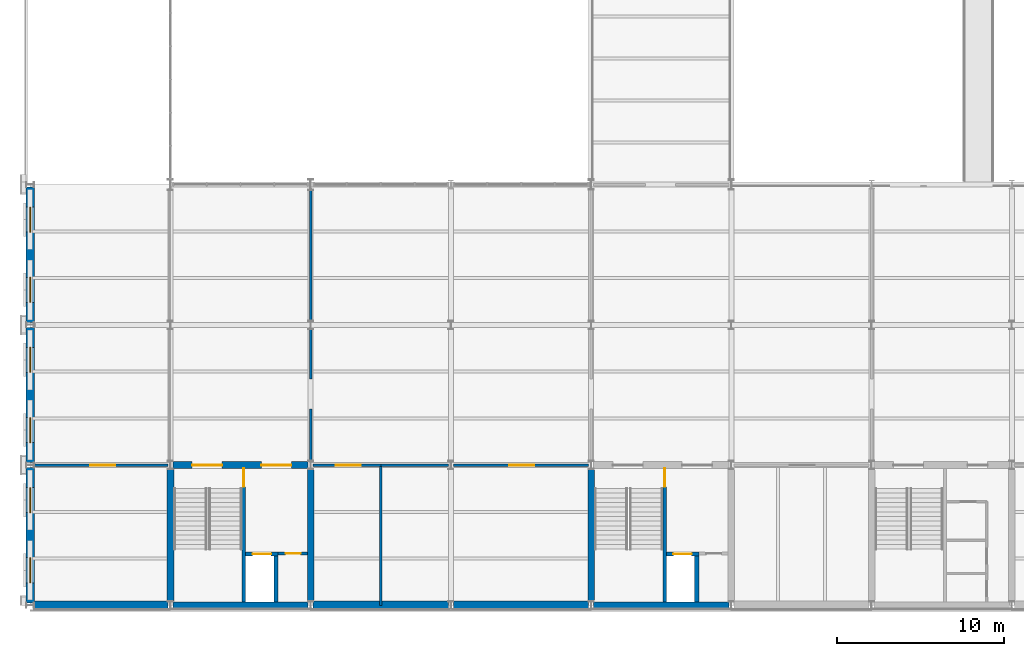
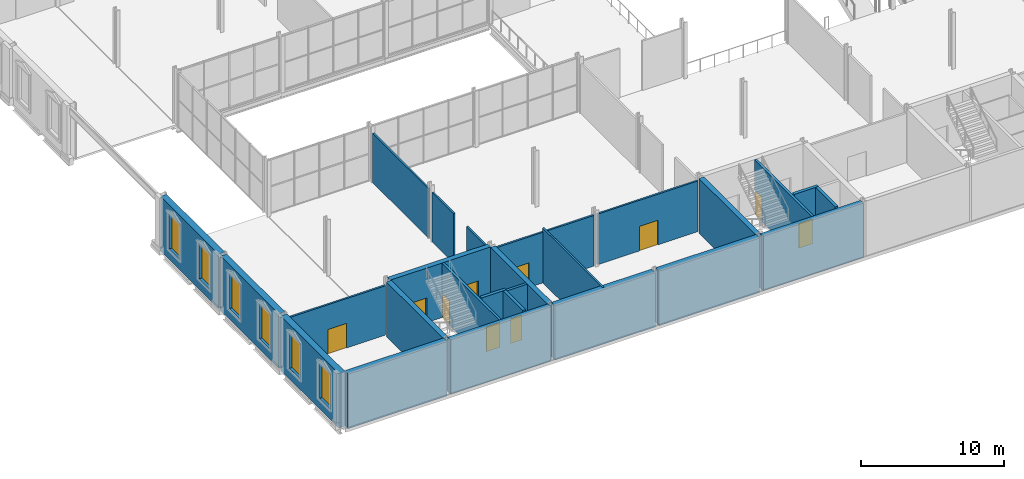
# One storey, part 35 of 61: 27 walls, 10 doors, 6 windows, 16 openings.
"""IFC4 building model written with IfcOpenShell, lengths in metres."""

import ifcopenshell
import ifcopenshell.guid

model = None  # the IFC model being written
_history = None  # IfcOwnerHistory: only IFC2X3 demands one
_inside = {}  # id of a spatial element -> (the spatial element, [elements in it])
_under = {}  # id of a project, library or spatial element -> (it, [spatial elements below it])
_declared = {}  # id of a project -> (the project, [libraries it declares])
_typed = {}  # id of a type object -> (the type object, [elements of that type])
_made_of = {}  # id of a material, layer set ... -> (it, [elements and type objects made of it])


def new_model(schema):
    """Start an empty IFC model of exactly this schema.

    Asked for "IFC4X3", IfcOpenShell would pick the latest addendum, in which some entities
    have other attributes; the version numbers below select the first issue.
    IFC2X3 requires an IfcOwnerHistory on every rooted entity: one is made here for all.
    """
    global model, _history
    if schema == "IFC4X3":
        model = ifcopenshell.file(schema_version=(4, 3, 0, 0))
    else:
        model = ifcopenshell.file(schema=schema)
    _inside.clear()
    _under.clear()
    _declared.clear()
    _typed.clear()
    _made_of.clear()
    _history = None
    if model.schema == "IFC2X3":
        org = make("IfcOrganization", Name="unknown")
        user = make(
            "IfcPersonAndOrganization",
            ThePerson=make("IfcPerson", FamilyName="unknown"),
            TheOrganization=org,
        )
        app = make(
            "IfcApplication",
            ApplicationDeveloper=org,
            Version="unknown",
            ApplicationFullName="unknown",
            ApplicationIdentifier="unknown",
        )
        _history = make(
            "IfcOwnerHistory",
            OwningUser=user,
            OwningApplication=app,
            ChangeAction="ADDED",
            CreationDate=0,
        )
    return model


def make(cls, **values):
    """One entity of the class cls with the attributes given. An attribute that is None is left unset."""
    return model.create_entity(
        cls, **{name: value for name, value in values.items() if value is not None}
    )


def rooted(cls, **values):
    """An entity with a GlobalId (a new one), such as an element, a storey or a relation."""
    return make(cls, GlobalId=ifcopenshell.guid.new(), OwnerHistory=_history, **values)


def si_unit(unit_type, name, prefix=None):
    """IfcSIUnit, for example si_unit("LENGTHUNIT", "METRE", prefix="MILLI")."""
    return make("IfcSIUnit", UnitType=unit_type, Prefix=prefix, Name=name)


def assignment(units):
    """IfcUnitAssignment: the units of a project."""
    return None if units is None else make("IfcUnitAssignment", Units=units)


def point(xyz):
    """IfcCartesianPoint."""
    return None if xyz is None else make("IfcCartesianPoint", Coordinates=xyz)


def direction(xyz):
    """IfcDirection."""
    return None if xyz is None else make("IfcDirection", DirectionRatios=xyz)


def frame(location, z_axis=None, x_axis=None):
    """IfcAxis2Placement3D, a coordinate frame: its origin and axes. An axis left out is left unset."""
    return make(
        "IfcAxis2Placement3D",
        Location=point(location),
        Axis=direction(z_axis),
        RefDirection=direction(x_axis),
    )


def frame_2d(location, x_axis=None):
    """IfcAxis2Placement2D, a coordinate frame in the plane: its origin and x axis."""
    return make(
        "IfcAxis2Placement2D", Location=point(location), RefDirection=direction(x_axis)
    )


def origin():
    """The frame at (0, 0, 0) with its axes left unset."""
    return frame((0.0, 0.0, 0.0))


def place(relative_to, where):
    """IfcLocalPlacement: puts the frame where relative to a parent placement (None: the world)."""
    return make(
        "IfcLocalPlacement", PlacementRelTo=relative_to, RelativePlacement=where
    )


def context(
    kind, dimensions, precision=None, world=None, true_north=None, identifier=None
):
    """IfcGeometricRepresentationContext, for example the 3D "Model" context."""
    return make(
        "IfcGeometricRepresentationContext",
        ContextIdentifier=identifier,
        ContextType=kind,
        CoordinateSpaceDimension=dimensions,
        Precision=precision,
        WorldCoordinateSystem=world,
        TrueNorth=true_north,
    )


def subcontext(parent, identifier, kind, view, scale=None):
    """IfcGeometricRepresentationSubContext, for example "Body" below "Model"."""
    return make(
        "IfcGeometricRepresentationSubContext",
        ContextIdentifier=identifier,
        ContextType=kind,
        ParentContext=parent,
        TargetScale=scale,
        TargetView=view,
    )


def project(units=None, contexts=None):
    """IfcProject with its units and contexts."""
    return rooted(
        "IfcProject",
        Name="project",
        RepresentationContexts=contexts,
        UnitsInContext=assignment(units),
    )


def spatial(cls, under=None, at=None, **own):
    """A site, building, storey or space (cls), placed at a placement, below another one or the project."""
    s = rooted(cls, ObjectPlacement=at, **own)
    if under is not None:
        _under.setdefault(under.id(), (under, []))[1].append(s)
    return s


def profile(cls, at=None, kind="AREA", **sizes):
    """A parametric profile (cls). Its sizes go by their IFC names, for example OverallWidth=200.0."""
    return make(cls, ProfileType=kind, Position=at, **sizes)


def rectangle(**sizes):
    """IfcRectangleProfileDef."""
    return profile("IfcRectangleProfileDef", **sizes)


def extrude(swept, where, along, depth):
    """IfcExtrudedAreaSolid: the profile swept, set in the frame where, extruded along a direction by depth."""
    return make(
        "IfcExtrudedAreaSolid",
        SweptArea=swept,
        Position=where,
        ExtrudedDirection=direction(along),
        Depth=depth,
    )


def shape(context_of_items, identifier, shape_type, items):
    """IfcShapeRepresentation: the items that make up one representation, for example the "Body"."""
    return make(
        "IfcShapeRepresentation",
        ContextOfItems=context_of_items,
        RepresentationIdentifier=identifier,
        RepresentationType=shape_type,
        Items=items,
    )


def material(Name=None, Category=None):
    """IfcMaterial."""
    return make("IfcMaterial", Name=Name, Category=Category)


def layer(
    of_material, thickness, ventilated=None, Name=None, Category=None, Priority=None
):
    """IfcMaterialLayer: one layer of a wall or slab, of a material (None: an air gap)."""
    return make(
        "IfcMaterialLayer",
        Material=of_material,
        LayerThickness=thickness,
        IsVentilated=ventilated,
        Name=Name,
        Category=Category,
        Priority=Priority,
    )


def layer_set(layers, Name=None):
    """IfcMaterialLayerSet."""
    return make("IfcMaterialLayerSet", MaterialLayers=layers, LayerSetName=Name)


def made_of(thing, what):
    """Note that an element or type object is made of a material, layer set ...; save() writes the relation."""
    if what is not None:
        _made_of.setdefault(what.id(), (what, []))[1].append(thing)
    return thing


def type_object(cls, material=None, **own):
    """A type object (cls), such as IfcWallType, which elements share."""
    return made_of(rooted(cls, **own), material)


def element(
    cls,
    number,
    at=None,
    inside=None,
    cuts=None,
    type_object=None,
    material=None,
    context=None,
    identifier="Body",
    shape_type=None,
    held_by="IfcProductDefinitionShape",
    body=None,
    shapes=None,
    **own,
):
    """One element of the class cls, such as IfcWall. Its Tag is "e" and its number.

    at: its placement. inside: the storey or other place that contains it. cuts: it is an
    opening in that element (IfcRelVoidsElement). A single representation is given by context,
    identifier, shape_type and body (its items); several are given by shapes. held_by: the class
    of the entity that holds the representations. save() writes the other relations.
    """
    e = rooted(cls, Tag="e%d" % number, ObjectPlacement=at, **own)
    if body is not None:
        shapes = [shape(context, identifier, shape_type, body)]
    if shapes is not None:
        e.Representation = make(held_by, Representations=shapes)
    if inside is not None:
        _inside.setdefault(inside.id(), (inside, []))[1].append(e)
    if cuts is not None:
        rooted(
            "IfcRelVoidsElement", RelatingBuildingElement=cuts, RelatedOpeningElement=e
        )
    if type_object is not None:
        _typed.setdefault(type_object.id(), (type_object, []))[1].append(e)
    return made_of(e, material)


def fill(opening, filler):
    """IfcRelFillsElement: the door or window that sits in an opening."""
    return rooted(
        "IfcRelFillsElement",
        RelatingOpeningElement=opening,
        RelatedBuildingElement=filler,
    )


def aggregate(whole, parts):
    """IfcRelAggregates: a whole, such as a stair, and the parts it consists of."""
    return rooted("IfcRelAggregates", RelatingObject=whole, RelatedObjects=parts)


def save(model, path):
    """Write the relations noted so far, then the file.

    IfcRelAggregates (storeys below a building ...), IfcRelContainedInSpatialStructure (elements
    in a storey), IfcRelDefinesByType, IfcRelAssociatesMaterial and IfcRelDeclares: one each for
    every whole, place, type object, material and project.
    """
    for whole, parts in _under.values():
        aggregate(whole, parts)
    for where, things in _inside.values():
        rooted(
            "IfcRelContainedInSpatialStructure",
            RelatedElements=things,
            RelatingStructure=where,
        )
    for kind, things in _typed.values():
        rooted("IfcRelDefinesByType", RelatedObjects=things, RelatingType=kind)
    for what, things in _made_of.values():
        rooted("IfcRelAssociatesMaterial", RelatedObjects=things, RelatingMaterial=what)
    for by, libraries in _declared.values():
        rooted("IfcRelDeclares", RelatingContext=by, RelatedDefinitions=libraries)
    model.write(path)


model = new_model("IFC4")

# Units and contexts
model_context = context("Model", 3, precision=1e-05, world=origin(), true_north=direction((0.0, 1.0)))
body_context = subcontext(model_context, "Body", "Model", "MODEL_VIEW")
ifc_project = project(units=[si_unit("LENGTHUNIT", "METRE"), si_unit("AREAUNIT", "SQUARE_METRE"), si_unit("VOLUMEUNIT", "CUBIC_METRE"), si_unit("PLANEANGLEUNIT", "RADIAN"), si_unit("MASSUNIT", "GRAM", prefix="KILO")], contexts=[model_context])

# Site, building, storey
site_placement = place(None, origin())
site = spatial("IfcSite", under=ifc_project, at=site_placement, CompositionType="ELEMENT")
building_placement = place(site_placement, origin())
building = spatial("IfcBuilding", under=site, at=building_placement, Name="Galleria Vessillo Department Store", CompositionType="ELEMENT")
storey_placement = place(building_placement, frame((0.0, 0.0, 11.39990234375)))
storey = spatial("IfcBuildingStorey", under=building, at=storey_placement, Name="L02", CompositionType="ELEMENT", Elevation=11.39990234375)

# Wall, opening, door
ifc_material_1 = material(Name="Solid clay block masonry", Category="masonry")
ifc_layer_1 = layer(ifc_material_1, 0.25)
ifc_layer_set_1 = layer_set([ifc_layer_1], Name="Solid clay block masonry")
wall_type_1 = type_object("IfcWallType", Name="Lift shaft wall 250 mm", PredefinedType="SOLIDWALL", material=ifc_layer_set_1)
wall_1_placement = place(storey_placement, frame((12.89990234375, 3.074951171875, 0.0), z_axis=(0.0, 0.0, 1.0), x_axis=(1.0, 0.0, 0.0)))
wall_1 = element("IfcWall", 1, at=wall_1_placement, inside=storey, type_object=wall_type_1, Name="Lift shaft wall LP1 landing side L02", PredefinedType="SOLIDWALL", context=body_context, shape_type="SweptSolid", body=[
    extrude(rectangle(XDim=1.9501953125, YDim=0.25, at=frame_2d((0.97509765625, 0.0))), origin(), (0.0, 0.0, 1.0), 4.800048828125),
])
opening_1_placement = place(wall_1_placement, frame((0.425048828125, 0.0, 0.0)))
opening_1 = element("IfcOpeningElement", 2, at=opening_1_placement, cuts=wall_1, Name="Opening LD005", PredefinedType="OPENING", context=body_context, shape_type="SweptSolid", body=[
    extrude(rectangle(XDim=1.10009765625, YDim=2.10009765625, at=frame_2d((0.550048828125, 1.050048828125))), frame((0.0, 0.135009765625, 0.0), z_axis=(0.0, -1.0, 0.0), x_axis=(1.0, 0.0, 0.0)), (0.0, 0.0, 1.0), 0.27001953125),
])
ifc_material_2 = material(Name="Stainless steel lift door panel", Category="steel")
door_type_1 = type_object("IfcDoorType", Name="Lift landing door LD110 sliding 1100 x 2100", OperationType="SLIDING_TO_LEFT", PredefinedType="DOOR", material=ifc_material_2)
door_1_placement = place(opening_1_placement, origin())
door_1 = element("IfcDoor", 3, at=door_1_placement, inside=storey, type_object=door_type_1, Name="Lift landing door LP1 L02", OperationType="SLIDING_TO_LEFT", OverallHeight=2.10009765625, OverallWidth=1.10009765625, PredefinedType="DOOR", context=body_context, shape_type="SweptSolid", body=[
    extrude(rectangle(XDim=1.10009765625, YDim=2.10009765625, at=frame_2d((0.550048828125, 1.050048828125))), frame((0.0, 0.02490234375, 0.0), z_axis=(0.0, -1.0, 0.0), x_axis=(1.0, 0.0, 0.0)), (0.0, 0.0, 1.0), 0.050048828125),
])
fill(opening_1, door_1)

# Wall
wall_2_placement = place(storey_placement, frame((14.72509765625, 0.199951171875, 0.0), z_axis=(0.0, 0.0, 1.0), x_axis=(0.0, 1.0, 0.0)))
element("IfcWall", 4, at=wall_2_placement, inside=storey, type_object=wall_type_1, Name="Lift shaft wall LP1 L02", PredefinedType="SOLIDWALL", context=body_context, shape_type="SweptSolid", body=[
    extrude(rectangle(XDim=2.75, YDim=0.25, at=frame_2d((1.375, 0.0))), origin(), (0.0, 0.0, 1.0), 4.800048828125),
])

# Wall, opening, door
wall_3_placement = place(storey_placement, frame((38.10009765625, 3.074951171875, 0.0), z_axis=(0.0, 0.0, 1.0), x_axis=(1.0, 0.0, 0.0)))
wall_3 = element("IfcWall", 5, at=wall_3_placement, inside=storey, type_object=wall_type_1, Name="Lift shaft wall LP3 landing side L02", PredefinedType="SOLIDWALL", context=body_context, shape_type="SweptSolid", body=[
    extrude(rectangle(XDim=1.949951171875, YDim=0.25, at=frame_2d((0.97509765625, 0.0))), origin(), (0.0, 0.0, 1.0), 4.800048828125),
])
opening_2_placement = place(wall_3_placement, frame((0.4248046875, 0.0, 0.0)))
opening_2 = element("IfcOpeningElement", 6, at=opening_2_placement, cuts=wall_3, Name="Opening LD021", PredefinedType="OPENING", context=body_context, shape_type="SweptSolid", body=[
    extrude(rectangle(XDim=1.10009765625, YDim=2.10009765625, at=frame_2d((0.550048828125, 1.050048828125))), frame((0.0, 0.135009765625, 0.0), z_axis=(0.0, -1.0, 0.0), x_axis=(1.0, 0.0, 0.0)), (0.0, 0.0, 1.0), 0.27001953125),
])
door_2_placement = place(opening_2_placement, origin())
door_2 = element("IfcDoor", 7, at=door_2_placement, inside=storey, type_object=door_type_1, Name="Lift landing door LP3 L02", OperationType="SLIDING_TO_LEFT", OverallHeight=2.10009765625, OverallWidth=1.10009765625, PredefinedType="DOOR", context=body_context, shape_type="SweptSolid", body=[
    extrude(rectangle(XDim=1.10009765625, YDim=2.10009765625, at=frame_2d((0.550048828125, 1.050048828125))), frame((0.0, 0.02490234375, 0.0), z_axis=(0.0, -1.0, 0.0), x_axis=(1.0, 0.0, 0.0)), (0.0, 0.0, 1.0), 0.050048828125),
])
fill(opening_2, door_2)

# Wall
wall_4_placement = place(storey_placement, frame((39.925048828125, 0.199951171875, 0.0), z_axis=(0.0, 0.0, 1.0), x_axis=(0.0, 1.0, 0.0)))
element("IfcWall", 8, at=wall_4_placement, inside=storey, type_object=wall_type_1, Name="Lift shaft wall LP3 L02", PredefinedType="SOLIDWALL", context=body_context, shape_type="SweptSolid", body=[
    extrude(rectangle(XDim=2.75, YDim=0.25, at=frame_2d((1.375, 0.0))), origin(), (0.0, 0.0, 1.0), 4.800048828125),
])

# Wall, openings, windows
ifc_material_3 = material(Name="Reinforced masonry, limestone units 80 MPa", Category="masonry")
ifc_layer_2 = layer(ifc_material_3, 0.5)
ifc_layer_set_2 = layer_set([ifc_layer_2], Name="Reinforced masonry, limestone units 80 MPa")
wall_type_2 = type_object("IfcWallType", Name="Load-bearing limestone-faced wall 500 mm", PredefinedType="STANDARD", material=ifc_layer_set_2)
wall_5_placement = place(storey_placement, frame((0.0, 0.14990234375, 0.0), z_axis=(0.0, 0.0, 1.0), x_axis=(0.0, 1.0, 0.0)))
wall_5 = element("IfcWall", 9, at=wall_5_placement, inside=storey, type_object=wall_type_2, Name="Load-bearing limestone-faced wall 500 mm SW-L02-01", PredefinedType="STANDARD", context=body_context, shape_type="SweptSolid", body=[
    extrude(rectangle(XDim=8.10009765625, YDim=0.5, at=frame_2d((4.050048828125, 0.0))), origin(), (0.0, 0.0, 1.0), 4.650146484375),
])
opening_3_placement = place(wall_5_placement, frame((1.2001953125, 0.0, 0.89990234375)))
opening_3 = element("IfcOpeningElement", 10, at=opening_3_placement, cuts=wall_5, Name="Opening W001", PredefinedType="OPENING", context=body_context, shape_type="SweptSolid", body=[
    extrude(rectangle(XDim=1.5, YDim=3.0, at=frame_2d((0.75, 1.5))), frame((0.0, 0.260009765625, 0.0), z_axis=(0.0, -1.0, 0.0), x_axis=(1.0, 0.0, 0.0)), (0.0, 0.0, 1.0), 0.52001953125),
])
opening_4_placement = place(wall_5_placement, frame((5.400146484375, 0.0, 0.89990234375)))
opening_4 = element("IfcOpeningElement", 11, at=opening_4_placement, cuts=wall_5, Name="Opening W002", PredefinedType="OPENING", context=body_context, shape_type="SweptSolid", body=[
    extrude(rectangle(XDim=1.5, YDim=3.0, at=frame_2d((0.75, 1.5))), frame((0.0, 0.260009765625, 0.0), z_axis=(0.0, -1.0, 0.0), x_axis=(1.0, 0.0, 0.0)), (0.0, 0.0, 1.0), 0.52001953125),
])
ifc_material_4 = material(Name="Aluminium frame with laminated glass 44.2", Category="aluminium")
window_type = type_object("IfcWindowType", Name="Piano nobile window 1500 x 3000", PartitioningType="SINGLE_PANEL", PredefinedType="WINDOW", material=ifc_material_4)
window_1_placement = place(opening_3_placement, origin())
window_1 = element("IfcWindow", 12, at=window_1_placement, inside=storey, type_object=window_type, Name="E-WIN-SW-L02-01-001", OverallHeight=3.0, OverallWidth=1.5, PartitioningType="SINGLE_PANEL", PredefinedType="WINDOW", context=body_context, shape_type="SweptSolid", body=[
    extrude(rectangle(XDim=1.5, YDim=3.0, at=frame_2d((0.75, 1.5))), frame((0.0, 0.030029296875, 0.0), z_axis=(0.0, -1.0, 0.0), x_axis=(1.0, 0.0, 0.0)), (0.0, 0.0, 1.0), 0.06005859375),
])
fill(opening_3, window_1)
window_2_placement = place(opening_4_placement, origin())
window_2 = element("IfcWindow", 13, at=window_2_placement, inside=storey, type_object=window_type, Name="E-WIN-SW-L02-01-002", OverallHeight=3.0, OverallWidth=1.5, PartitioningType="SINGLE_PANEL", PredefinedType="WINDOW", context=body_context, shape_type="SweptSolid", body=[
    extrude(rectangle(XDim=1.5, YDim=3.0, at=frame_2d((0.75, 1.5))), frame((0.0, 0.030029296875, 0.0), z_axis=(0.0, -1.0, 0.0), x_axis=(1.0, 0.0, 0.0)), (0.0, 0.0, 1.0), 0.06005859375),
])
fill(opening_4, window_2)

wall_6_placement = place(storey_placement, frame((0.0, 8.5498046875, 0.0), z_axis=(0.0, 0.0, 1.0), x_axis=(0.0, 1.0, 0.0)))
wall_6 = element("IfcWall", 14, at=wall_6_placement, inside=storey, type_object=wall_type_2, Name="Load-bearing limestone-faced wall 500 mm SW-L02-02", PredefinedType="STANDARD", context=body_context, shape_type="SweptSolid", body=[
    extrude(rectangle(XDim=8.100341796875, YDim=0.5, at=frame_2d((4.05029296875, 0.0))), origin(), (0.0, 0.0, 1.0), 4.650146484375),
])
opening_5_placement = place(wall_6_placement, frame((1.2001953125, 0.0, 0.89990234375)))
opening_5 = element("IfcOpeningElement", 15, at=opening_5_placement, cuts=wall_6, Name="Opening W003", PredefinedType="OPENING", context=body_context, shape_type="SweptSolid", body=[
    extrude(rectangle(XDim=1.5, YDim=3.0, at=frame_2d((0.75, 1.5))), frame((0.0, 0.260009765625, 0.0), z_axis=(0.0, -1.0, 0.0), x_axis=(1.0, 0.0, 0.0)), (0.0, 0.0, 1.0), 0.52001953125),
])
opening_6_placement = place(wall_6_placement, frame((5.400146484375, 0.0, 0.89990234375)))
opening_6 = element("IfcOpeningElement", 16, at=opening_6_placement, cuts=wall_6, Name="Opening W004", PredefinedType="OPENING", context=body_context, shape_type="SweptSolid", body=[
    extrude(rectangle(XDim=1.5, YDim=3.0, at=frame_2d((0.75, 1.5))), frame((0.0, 0.260009765625, 0.0), z_axis=(0.0, -1.0, 0.0), x_axis=(1.0, 0.0, 0.0)), (0.0, 0.0, 1.0), 0.52001953125),
])
window_3_placement = place(opening_5_placement, origin())
window_3 = element("IfcWindow", 17, at=window_3_placement, inside=storey, type_object=window_type, Name="E-WIN-SW-L02-02-003", OverallHeight=3.0, OverallWidth=1.5, PartitioningType="SINGLE_PANEL", PredefinedType="WINDOW", context=body_context, shape_type="SweptSolid", body=[
    extrude(rectangle(XDim=1.5, YDim=3.0, at=frame_2d((0.75, 1.5))), frame((0.0, 0.030029296875, 0.0), z_axis=(0.0, -1.0, 0.0), x_axis=(1.0, 0.0, 0.0)), (0.0, 0.0, 1.0), 0.06005859375),
])
fill(opening_5, window_3)
window_4_placement = place(opening_6_placement, origin())
window_4 = element("IfcWindow", 18, at=window_4_placement, inside=storey, type_object=window_type, Name="E-WIN-SW-L02-02-004", OverallHeight=3.0, OverallWidth=1.5, PartitioningType="SINGLE_PANEL", PredefinedType="WINDOW", context=body_context, shape_type="SweptSolid", body=[
    extrude(rectangle(XDim=1.5, YDim=3.0, at=frame_2d((0.75, 1.5))), frame((0.0, 0.030029296875, 0.0), z_axis=(0.0, -1.0, 0.0), x_axis=(1.0, 0.0, 0.0)), (0.0, 0.0, 1.0), 0.06005859375),
])
fill(opening_6, window_4)

wall_7_placement = place(storey_placement, frame((0.0, 16.949951171875, 0.0), z_axis=(0.0, 0.0, 1.0), x_axis=(0.0, 1.0, 0.0)))
wall_7 = element("IfcWall", 19, at=wall_7_placement, inside=storey, type_object=wall_type_2, Name="Load-bearing limestone-faced wall 500 mm SW-L02-03", PredefinedType="STANDARD", context=body_context, shape_type="SweptSolid", body=[
    extrude(rectangle(XDim=8.10009765625, YDim=0.5, at=frame_2d((4.050048828125, 0.0))), origin(), (0.0, 0.0, 1.0), 4.650146484375),
])
opening_7_placement = place(wall_7_placement, frame((1.199951171875, 0.0, 0.89990234375)))
opening_7 = element("IfcOpeningElement", 20, at=opening_7_placement, cuts=wall_7, Name="Opening W005", PredefinedType="OPENING", context=body_context, shape_type="SweptSolid", body=[
    extrude(rectangle(XDim=1.5, YDim=3.0, at=frame_2d((0.75, 1.5))), frame((0.0, 0.260009765625, 0.0), z_axis=(0.0, -1.0, 0.0), x_axis=(1.0, 0.0, 0.0)), (0.0, 0.0, 1.0), 0.52001953125),
])
opening_8_placement = place(wall_7_placement, frame((5.400146484375, 0.0, 0.89990234375)))
opening_8 = element("IfcOpeningElement", 21, at=opening_8_placement, cuts=wall_7, Name="Opening W006", PredefinedType="OPENING", context=body_context, shape_type="SweptSolid", body=[
    extrude(rectangle(XDim=1.5, YDim=3.0, at=frame_2d((0.75, 1.5))), frame((0.0, 0.260009765625, 0.0), z_axis=(0.0, -1.0, 0.0), x_axis=(1.0, 0.0, 0.0)), (0.0, 0.0, 1.0), 0.52001953125),
])
window_5_placement = place(opening_7_placement, origin())
window_5 = element("IfcWindow", 22, at=window_5_placement, inside=storey, type_object=window_type, Name="E-WIN-SW-L02-03-005", OverallHeight=3.0, OverallWidth=1.5, PartitioningType="SINGLE_PANEL", PredefinedType="WINDOW", context=body_context, shape_type="SweptSolid", body=[
    extrude(rectangle(XDim=1.5, YDim=3.0, at=frame_2d((0.75, 1.5))), frame((0.0, 0.030029296875, 0.0), z_axis=(0.0, -1.0, 0.0), x_axis=(1.0, 0.0, 0.0)), (0.0, 0.0, 1.0), 0.06005859375),
])
fill(opening_7, window_5)
window_6_placement = place(opening_8_placement, origin())
window_6 = element("IfcWindow", 23, at=window_6_placement, inside=storey, type_object=window_type, Name="E-WIN-SW-L02-03-006", OverallHeight=3.0, OverallWidth=1.5, PartitioningType="SINGLE_PANEL", PredefinedType="WINDOW", context=body_context, shape_type="SweptSolid", body=[
    extrude(rectangle(XDim=1.5, YDim=3.0, at=frame_2d((0.75, 1.5))), frame((0.0, 0.030029296875, 0.0), z_axis=(0.0, -1.0, 0.0), x_axis=(1.0, 0.0, 0.0)), (0.0, 0.0, 1.0), 0.06005859375),
])
fill(opening_8, window_6)

# Wall, openings, doors
ifc_material_5 = material(Name="Concrete C32/40 reinforced", Category="concrete")
ifc_layer_3 = layer(ifc_material_5, 0.39990234375)
ifc_layer_set_3 = layer_set([ifc_layer_3], Name="Concrete C32/40 reinforced")
wall_type_3 = type_object("IfcWallType", Name="Reinforced concrete core wall 400 mm", PredefinedType="SHEAR", material=ifc_layer_set_3)
wall_8_placement = place(storey_placement, frame((8.5498046875, 8.39990234375, 0.0), z_axis=(0.0, 0.0, 1.0), x_axis=(1.0, 0.0, 0.0)))
wall_8 = element("IfcWall", 24, at=wall_8_placement, inside=storey, type_object=wall_type_3, Name="S-CW-PC-SW-INTERIOR-L02", PredefinedType="SHEAR", context=body_context, shape_type="SweptSolid", body=[
    extrude(rectangle(XDim=8.100341796875, YDim=0.39990234375, at=frame_2d((4.05029296875, 0.0))), origin(), (0.0, 0.0, 1.0), 4.650146484375),
])
opening_9_placement = place(wall_8_placement, frame((1.150146484375, 0.0, 0.0)))
opening_9 = element("IfcOpeningElement", 25, at=opening_9_placement, cuts=wall_8, Name="Opening D5019", PredefinedType="OPENING", context=body_context, shape_type="SweptSolid", body=[
    extrude(rectangle(XDim=1.800048828125, YDim=2.10009765625, at=frame_2d((0.89990234375, 1.050048828125))), frame((0.0, 0.2099609375, 0.0), z_axis=(0.0, -1.0, 0.0), x_axis=(1.0, 0.0, 0.0)), (0.0, 0.0, 1.0), 0.419921875),
])
opening_10_placement = place(wall_8_placement, frame((5.300048828125, 0.0, 0.0)))
opening_10 = element("IfcOpeningElement", 26, at=opening_10_placement, cuts=wall_8, Name="Opening D5020", PredefinedType="OPENING", context=body_context, shape_type="SweptSolid", body=[
    extrude(rectangle(XDim=1.800048828125, YDim=2.10009765625, at=frame_2d((0.89990234375, 1.050048828125))), frame((0.0, 0.2099609375, 0.0), z_axis=(0.0, -1.0, 0.0), x_axis=(1.0, 0.0, 0.0)), (0.0, 0.0, 1.0), 0.419921875),
])
ifc_material_6 = material(Name="Fire-rated steel door leaf", Category="steel")
door_type_2 = type_object("IfcDoorType", Name="Door D180F double leaf 1800 x 2100", OperationType="DOUBLE_DOOR_SINGLE_SWING", PredefinedType="DOOR", material=ifc_material_6)
door_3_placement = place(opening_9_placement, frame((1.800048828125, 0.0, 0.0), z_axis=(0.0, 0.0, 1.0), x_axis=(-1.0, 0.0, 0.0)))
door_3 = element("IfcDoor", 27, at=door_3_placement, inside=storey, type_object=door_type_2, Name="Lobby door PC-SW-ST-FLOOR L02", OperationType="DOUBLE_DOOR_SINGLE_SWING", OverallHeight=2.10009765625, OverallWidth=1.800048828125, PredefinedType="DOOR", context=body_context, shape_type="SweptSolid", body=[
    extrude(rectangle(XDim=1.800048828125, YDim=2.10009765625, at=frame_2d((0.89990234375, 1.050048828125))), frame((0.0, 0.02490234375, 0.0), z_axis=(0.0, -1.0, 0.0), x_axis=(1.0, 0.0, 0.0)), (0.0, 0.0, 1.0), 0.050048828125),
])
fill(opening_9, door_3)
door_4_placement = place(opening_10_placement, frame((1.800048828125, 0.0, 0.0), z_axis=(0.0, 0.0, 1.0), x_axis=(-1.0, 0.0, 0.0)))
door_4 = element("IfcDoor", 28, at=door_4_placement, inside=storey, type_object=door_type_2, Name="Lobby door PC-SW-LOBBY-FLOOR L02", OperationType="DOUBLE_DOOR_SINGLE_SWING", OverallHeight=2.10009765625, OverallWidth=1.800048828125, PredefinedType="DOOR", context=body_context, shape_type="SweptSolid", body=[
    extrude(rectangle(XDim=1.800048828125, YDim=2.10009765625, at=frame_2d((0.89990234375, 1.050048828125))), frame((0.0, 0.02490234375, 0.0), z_axis=(0.0, -1.0, 0.0), x_axis=(1.0, 0.0, 0.0)), (0.0, 0.0, 1.0), 0.050048828125),
])
fill(opening_10, door_4)

# Walls
for number, where, z_axis, x_axis, name in (
    (29, (16.800048828125, 0.25, 0.0), (0.0, 0.0, 1.0), (0.0, 1.0, 0.0), "S-CW-PC-SW-EAST-L02"),
    (30, (33.60009765625, 0.25, 0.0), (0.0, 0.0, 1.0), (0.0, 1.0, 0.0), "S-CW-PC-SM-WEST-L02"),
):
    element("IfcWall", number, at=place(storey_placement, frame(where, z_axis=z_axis, x_axis=x_axis)), inside=storey, type_object=wall_type_3, Name=name, PredefinedType="SHEAR", context=body_context, shape_type="SweptSolid", body=[
        extrude(rectangle(XDim=7.89990234375, YDim=0.39990234375, at=frame_2d((3.949951171875, 0.0))), origin(), (0.0, 0.0, 1.0), 4.650146484375),
    ])
ifc_material_7 = material(Name="Concrete C32/40 reinforced", Category="concrete")
ifc_layer_4 = layer(ifc_material_7, 0.39990234375)
ifc_layer_set_4 = layer_set([ifc_layer_4], Name="Concrete C32/40 reinforced")
wall_type_4 = type_object("IfcWallType", Name="Reinforced concrete core wall 400 mm, external", PredefinedType="SHEAR", material=ifc_layer_set_4)
wall_9_placement = place(storey_placement, frame((8.5498046875, 0.0, 0.0), z_axis=(0.0, 0.0, 1.0), x_axis=(1.0, 0.0, 0.0)))
element("IfcWall", 31, at=wall_9_placement, inside=storey, type_object=wall_type_4, Name="S-CW-PC-SW-PARTY-L02", PredefinedType="SHEAR", context=body_context, shape_type="SweptSolid", body=[
    extrude(rectangle(XDim=8.100341796875, YDim=0.39990234375, at=frame_2d((4.05029296875, 0.0))), origin(), (0.0, 0.0, 1.0), 4.650146484375),
])
wall_10_placement = place(storey_placement, frame((8.39990234375, 0.25, 0.0), z_axis=(0.0, 0.0, 1.0), x_axis=(0.0, 1.0, 0.0)))
element("IfcWall", 32, at=wall_10_placement, inside=storey, type_object=wall_type_4, Name="S-CW-PC-SW-WEST-L02", PredefinedType="SHEAR", context=body_context, shape_type="SweptSolid", body=[
    extrude(rectangle(XDim=7.89990234375, YDim=0.39990234375, at=frame_2d((3.949951171875, 0.0))), origin(), (0.0, 0.0, 1.0), 4.650146484375),
])
wall_11_placement = place(storey_placement, frame((33.75, 0.0, 0.0), z_axis=(0.0, 0.0, 1.0), x_axis=(1.0, 0.0, 0.0)))
element("IfcWall", 33, at=wall_11_placement, inside=storey, type_object=wall_type_4, Name="S-CW-PC-SM-PARTY-L02", PredefinedType="SHEAR", context=body_context, shape_type="SweptSolid", body=[
    extrude(rectangle(XDim=8.10009765625, YDim=0.39990234375, at=frame_2d((4.050048828125, 0.0))), origin(), (0.0, 0.0, 1.0), 4.650146484375),
])
ifc_material_8 = material(Name="Concrete C32/40 reinforced", Category="concrete")
ifc_layer_5 = layer(ifc_material_8, 0.5)
ifc_layer_set_5 = layer_set([ifc_layer_5], Name="Concrete C32/40 reinforced")
wall_type_5 = type_object("IfcWallType", Name="Reinforced concrete party wall 500 mm", PredefinedType="SHEAR", material=ifc_layer_set_5)
wall_12_placement = place(storey_placement, frame((0.25, 0.0, 0.0), z_axis=(0.0, 0.0, 1.0), x_axis=(1.0, 0.0, 0.0)))
element("IfcWall", 34, at=wall_12_placement, inside=storey, type_object=wall_type_5, Name="S-PS-L02-01", PredefinedType="SHEAR", context=body_context, shape_type="SweptSolid", body=[
    extrude(rectangle(XDim=8.0, YDim=0.5, at=frame_2d((4.0, 0.0))), origin(), (0.0, 0.0, 1.0), 4.650146484375),
])
wall_13_placement = place(storey_placement, frame((16.949951171875, 0.0, 0.0), z_axis=(0.0, 0.0, 1.0), x_axis=(1.0, 0.0, 0.0)))
element("IfcWall", 35, at=wall_13_placement, inside=storey, type_object=wall_type_5, Name="S-PS-L02-02", PredefinedType="SHEAR", context=body_context, shape_type="SweptSolid", body=[
    extrude(rectangle(XDim=8.10009765625, YDim=0.5, at=frame_2d((4.050048828125, 0.0))), origin(), (0.0, 0.0, 1.0), 4.650146484375),
])
wall_14_placement = place(storey_placement, frame((25.349853515625, 0.0, 0.0), z_axis=(0.0, 0.0, 1.0), x_axis=(1.0, 0.0, 0.0)))
element("IfcWall", 36, at=wall_14_placement, inside=storey, type_object=wall_type_5, Name="S-PS-L02-03", PredefinedType="SHEAR", context=body_context, shape_type="SweptSolid", body=[
    extrude(rectangle(XDim=8.100341796875, YDim=0.5, at=frame_2d((4.05029296875, 0.0))), origin(), (0.0, 0.0, 1.0), 4.650146484375),
])

# Wall, opening, door
ifc_material_9 = material(Name="Concrete C32/40 reinforced", Category="concrete")
ifc_layer_6 = layer(ifc_material_9, 0.199951171875)
ifc_layer_set_6 = layer_set([ifc_layer_6], Name="Concrete C32/40 reinforced")
wall_type_6 = type_object("IfcWallType", Name="Reinforced concrete stair enclosure wall 200 mm", PredefinedType="SHEAR", material=ifc_layer_set_6)
wall_15_placement = place(storey_placement, frame((12.7998046875, 0.199951171875, 0.0), z_axis=(0.0, 0.0, 1.0), x_axis=(0.0, 1.0, 0.0)))
wall_15 = element("IfcWall", 37, at=wall_15_placement, inside=storey, type_object=wall_type_6, Name="Stair enclosure wall PC-SW L02", PredefinedType="SHEAR", context=body_context, shape_type="SweptSolid", body=[
    extrude(rectangle(XDim=8.0, YDim=0.199951171875, at=frame_2d((4.0, 0.0))), origin(), (0.0, 0.0, 1.0), 4.650146484375),
])
opening_11_placement = place(wall_15_placement, frame((6.89990234375, 0.0, 0.0)))
opening_11 = element("IfcOpeningElement", 38, at=opening_11_placement, cuts=wall_15, Name="Opening D5017", PredefinedType="OPENING", context=body_context, shape_type="SweptSolid", body=[
    extrude(rectangle(XDim=1.11009765625, YDim=2.10009765625, at=frame_2d((0.554931640625, 1.050048828125))), frame((0.0, 0.10986328125, 0.0), z_axis=(0.0, -1.0, 0.0), x_axis=(1.0, 0.0, 0.0)), (0.0, 0.0, 1.0), 0.219970703125),
])
ifc_material_10 = material(Name="Fire-rated steel door leaf", Category="steel")
door_type_3 = type_object("IfcDoorType", Name="Door D110F stair door 1100 x 2100", OperationType="SINGLE_SWING_LEFT", PredefinedType="DOOR", material=ifc_material_10)
door_5_placement = place(opening_11_placement, origin())
door_5 = element("IfcDoor", 39, at=door_5_placement, inside=storey, type_object=door_type_3, Name="Stair door PC-SW-ST-LOBBY L02", OperationType="SINGLE_SWING_RIGHT", OverallHeight=2.10009765625, OverallWidth=1.10009765625, PredefinedType="DOOR", context=body_context, shape_type="SweptSolid", body=[
    extrude(rectangle(XDim=1.10009765625, YDim=2.10009765625, at=frame_2d((0.550048828125, 1.050048828125))), frame((0.0, 0.02490234375, 0.0), z_axis=(0.0, -1.0, 0.0), x_axis=(1.0, 0.0, 0.0)), (0.0, 0.0, 1.0), 0.050048828125),
])
fill(opening_11, door_5)

wall_16_placement = place(storey_placement, frame((38.0, 0.199951171875, 0.0), z_axis=(0.0, 0.0, 1.0), x_axis=(0.0, 1.0, 0.0)))
wall_16 = element("IfcWall", 40, at=wall_16_placement, inside=storey, type_object=wall_type_6, Name="Stair enclosure wall PC-SM L02", PredefinedType="SHEAR", context=body_context, shape_type="SweptSolid", body=[
    extrude(rectangle(XDim=8.0, YDim=0.199951171875, at=frame_2d((4.0, 0.0))), origin(), (0.0, 0.0, 1.0), 4.650146484375),
])
opening_12_placement = place(wall_16_placement, frame((6.89990234375, 0.0, 0.0)))
opening_12 = element("IfcOpeningElement", 41, at=opening_12_placement, cuts=wall_16, Name="Opening D5080", PredefinedType="OPENING", context=body_context, shape_type="SweptSolid", body=[
    extrude(rectangle(XDim=1.11009765625, YDim=2.10009765625, at=frame_2d((0.554931640625, 1.050048828125))), frame((0.0, 0.10986328125, 0.0), z_axis=(0.0, -1.0, 0.0), x_axis=(1.0, 0.0, 0.0)), (0.0, 0.0, 1.0), 0.219970703125),
])
door_6_placement = place(opening_12_placement, origin())
door_6 = element("IfcDoor", 42, at=door_6_placement, inside=storey, type_object=door_type_3, Name="Stair door PC-SM-ST-LOBBY L02", OperationType="SINGLE_SWING_RIGHT", OverallHeight=2.10009765625, OverallWidth=1.10009765625, PredefinedType="DOOR", context=body_context, shape_type="SweptSolid", body=[
    extrude(rectangle(XDim=1.10009765625, YDim=2.10009765625, at=frame_2d((0.550048828125, 1.050048828125))), frame((0.0, 0.02490234375, 0.0), z_axis=(0.0, -1.0, 0.0), x_axis=(1.0, 0.0, 0.0)), (0.0, 0.0, 1.0), 0.050048828125),
])
fill(opening_12, door_6)

ifc_material_11 = material(Name="Hollow clay block masonry", Category="masonry")
ifc_layer_7 = layer(ifc_material_11, 0.199951171875)
ifc_layer_set_7 = layer_set([ifc_layer_7], Name="Hollow clay block masonry")
wall_type_7 = type_object("IfcWallType", Name="Riser and service room wall 200 mm", PredefinedType="PARTITIONING", material=ifc_layer_set_7)
wall_17_placement = place(storey_placement, frame((14.85009765625, 3.099853515625, 0.0), z_axis=(0.0, 0.0, 1.0), x_axis=(1.0, 0.0, 0.0)))
wall_17 = element("IfcWall", 43, at=wall_17_placement, inside=storey, type_object=wall_type_7, Name="Riser wall PC-SW-RISER L02", PredefinedType="PARTITIONING", context=body_context, shape_type="SweptSolid", body=[
    extrude(rectangle(XDim=1.75, YDim=0.199951171875, at=frame_2d((0.875, 0.0))), origin(), (0.0, 0.0, 1.0), 4.650146484375),
])
opening_13_placement = place(wall_17_placement, frame((0.449951171875, 0.0, 0.0)))
opening_13 = element("IfcOpeningElement", 44, at=opening_13_placement, cuts=wall_17, Name="Opening D5018", PredefinedType="OPENING", context=body_context, shape_type="SweptSolid", body=[
    extrude(rectangle(XDim=0.89990234375, YDim=2.10009765625, at=frame_2d((0.449951171875, 1.050048828125))), frame((0.0, 0.10986328125, 0.0), z_axis=(0.0, -1.0, 0.0), x_axis=(1.0, 0.0, 0.0)), (0.0, 0.0, 1.0), 0.219970703125),
])
ifc_material_12 = material(Name="Fire-rated steel door leaf", Category="steel")
door_type_4 = type_object("IfcDoorType", Name="Door DR90 riser access 900 x 2100", OperationType="SINGLE_SWING_LEFT", PredefinedType="DOOR", material=ifc_material_12)
door_7_placement = place(opening_13_placement, frame((0.89990234375, 0.0, 0.0), z_axis=(0.0, 0.0, 1.0), x_axis=(-1.0, 0.0, 0.0)))
door_7 = element("IfcDoor", 45, at=door_7_placement, inside=storey, type_object=door_type_4, Name="Riser door PC-SW-RISER-D L02", OperationType="SINGLE_SWING_LEFT", OverallHeight=2.10009765625, OverallWidth=0.89990234375, PredefinedType="DOOR", context=body_context, shape_type="SweptSolid", body=[
    extrude(rectangle(XDim=0.89990234375, YDim=2.10009765625, at=frame_2d((0.449951171875, 1.050048828125))), frame((0.0, 0.02490234375, 0.0), z_axis=(0.0, -1.0, 0.0), x_axis=(1.0, 0.0, 0.0)), (0.0, 0.0, 1.0), 0.050048828125),
])
fill(opening_13, door_7)

# Walls
ifc_material_13 = material(Name="Gypsum board partition")
ifc_layer_8 = layer(ifc_material_13, 0.139892578125)
ifc_layer_set_8 = layer_set([ifc_layer_8], Name="Gypsum board partition")
wall_type_8 = type_object("IfcWallType", Name="Sales dividing wall 140 mm", PredefinedType="PARTITIONING", material=ifc_layer_set_8)
wall_18_placement = place(storey_placement, frame((16.800048828125, 8.64990234375, 0.0), z_axis=(0.0, 0.0, 1.0), x_axis=(0.0, 1.0, 0.0)))
element("IfcWall", 46, at=wall_18_placement, inside=storey, type_object=wall_type_8, Name="Partition wall PT3 on L02 no. 037", PredefinedType="PARTITIONING", context=body_context, shape_type="SweptSolid", body=[
    extrude(rectangle(XDim=3.10009765625, YDim=0.139892578125, at=frame_2d((1.550048828125, 0.0))), origin(), (0.0, 0.0, 1.0), 4.210205078125),
])
wall_19_placement = place(storey_placement, frame((16.800048828125, 13.5498046875, 0.0), z_axis=(0.0, 0.0, 1.0), x_axis=(0.0, 1.0, 0.0)))
element("IfcWall", 47, at=wall_19_placement, inside=storey, type_object=wall_type_8, Name="Partition wall PT3 on L02 no. 038", PredefinedType="PARTITIONING", context=body_context, shape_type="SweptSolid", body=[
    extrude(rectangle(XDim=3.000244140625, YDim=0.139892578125, at=frame_2d((1.5, 0.0))), origin(), (0.0, 0.0, 1.0), 4.210205078125),
])
wall_20_placement = place(storey_placement, frame((16.800048828125, 17.050048828125, 0.0), z_axis=(0.0, 0.0, 1.0), x_axis=(0.0, 1.0, 0.0)))
element("IfcWall", 48, at=wall_20_placement, inside=storey, type_object=wall_type_8, Name="Partition wall PT3 on L02 no. 039", PredefinedType="PARTITIONING", context=body_context, shape_type="SweptSolid", body=[
    extrude(rectangle(XDim=7.81591796875, YDim=0.139892578125, at=frame_2d((3.907958984375, 0.0))), origin(), (0.0, 0.0, 1.0), 4.210205078125),
])
ifc_material_14 = material(Name="Concrete blockwork", Category="masonry")
ifc_layer_9 = layer(ifc_material_14, 0.14990234375)
ifc_layer_set_9 = layer_set([ifc_layer_9], Name="Concrete blockwork")
wall_type_9 = type_object("IfcWallType", Name="Stockroom blockwork wall 150 mm", PredefinedType="SOLIDWALL", material=ifc_layer_set_9)
wall_21_placement = place(storey_placement, frame((21.0, 0.0, 0.0), z_axis=(0.0, 0.0, 1.0), x_axis=(0.0, 1.0, 0.0)))
element("IfcWall", 49, at=wall_21_placement, inside=storey, type_object=wall_type_9, Name="Partition wall PT4 on L02 no. 013", PredefinedType="SOLIDWALL", context=body_context, shape_type="SweptSolid", body=[
    extrude(rectangle(XDim=8.39990234375, YDim=0.14990234375, at=frame_2d((4.199951171875, 0.0))), origin(), (0.0, 0.0, 1.0), 4.650146484375),
])

# Wall, opening, door
wall_22_placement = place(storey_placement, frame((16.949951171875, 8.39990234375, 0.0), z_axis=(0.0, 0.0, 1.0), x_axis=(1.0, 0.0, 0.0)))
wall_22 = element("IfcWall", 50, at=wall_22_placement, inside=storey, type_object=wall_type_9, Name="Partition wall PT4 on L02 no. 014", PredefinedType="SOLIDWALL", context=body_context, shape_type="SweptSolid", body=[
    extrude(rectangle(XDim=4.050048828125, YDim=0.14990234375, at=frame_2d((2.02490234375, 0.0))), origin(), (0.0, 0.0, 1.0), 4.320068359375),
])
opening_14_placement = place(wall_22_placement, frame((1.35009765625, 0.0, 0.0)))
opening_14 = element("IfcOpeningElement", 51, at=opening_14_placement, cuts=wall_22, Name="Opening D2407", PredefinedType="OPENING", context=body_context, shape_type="SweptSolid", body=[
    extrude(rectangle(XDim=1.5, YDim=2.10009765625, at=frame_2d((0.75, 1.050048828125))), frame((0.0, 0.0849609375, 0.0), z_axis=(0.0, -1.0, 0.0), x_axis=(1.0, 0.0, 0.0)), (0.0, 0.0, 1.0), 0.169921875),
])
ifc_material_15 = material(Name="Steel fire door leaf", Category="steel")
door_type_5 = type_object("IfcDoorType", Name="Stockroom fire door 1500 double leaf", OperationType="DOUBLE_DOOR_SINGLE_SWING", PredefinedType="DOOR", material=ifc_material_15)
door_8_placement = place(opening_14_placement, frame((1.5, 0.0, 0.0), z_axis=(0.0, 0.0, 1.0), x_axis=(-1.0, 0.0, 0.0)))
door_8 = element("IfcDoor", 52, at=door_8_placement, inside=storey, type_object=door_type_5, Name="Door D2407", OperationType="DOUBLE_DOOR_SINGLE_SWING", OverallHeight=2.10009765625, OverallWidth=1.5, PredefinedType="DOOR", context=body_context, shape_type="SweptSolid", body=[
    extrude(rectangle(XDim=1.5, YDim=2.10009765625, at=frame_2d((0.75, 1.050048828125))), frame((0.0, 0.02490234375, 0.0), z_axis=(0.0, -1.0, 0.0), x_axis=(1.0, 0.0, 0.0)), (0.0, 0.0, 1.0), 0.050048828125),
])
fill(opening_14, door_8)

# Wall
wall_23_placement = place(storey_placement, frame((21.0, 8.39990234375, 0.0), z_axis=(0.0, 0.0, 1.0), x_axis=(1.0, 0.0, 0.0)))
element("IfcWall", 53, at=wall_23_placement, inside=storey, type_object=wall_type_9, Name="Partition wall PT4 on L02 no. 015", PredefinedType="SOLIDWALL", context=body_context, shape_type="SweptSolid", body=[
    extrude(rectangle(XDim=4.050048828125, YDim=0.14990234375, at=frame_2d((2.02490234375, 0.0))), origin(), (0.0, 0.0, 1.0), 4.320068359375),
])

# Wall, opening, door
wall_24_placement = place(storey_placement, frame((25.349853515625, 8.39990234375, 0.0), z_axis=(0.0, 0.0, 1.0), x_axis=(1.0, 0.0, 0.0)))
wall_24 = element("IfcWall", 54, at=wall_24_placement, inside=storey, type_object=wall_type_9, Name="Partition wall PT4 on L02 no. 016", PredefinedType="SOLIDWALL", context=body_context, shape_type="SweptSolid", body=[
    extrude(rectangle(XDim=8.100341796875, YDim=0.14990234375, at=frame_2d((4.05029296875, 0.0))), origin(), (0.0, 0.0, 1.0), 4.320068359375),
])
opening_15_placement = place(wall_24_placement, frame((3.35009765625, 0.0, 0.0)))
opening_15 = element("IfcOpeningElement", 55, at=opening_15_placement, cuts=wall_24, Name="Opening D2408", PredefinedType="OPENING", context=body_context, shape_type="SweptSolid", body=[
    extrude(rectangle(XDim=1.5, YDim=2.10009765625, at=frame_2d((0.75, 1.050048828125))), frame((0.0, 0.0849609375, 0.0), z_axis=(0.0, -1.0, 0.0), x_axis=(1.0, 0.0, 0.0)), (0.0, 0.0, 1.0), 0.169921875),
])
door_9_placement = place(opening_15_placement, frame((1.5, 0.0, 0.0), z_axis=(0.0, 0.0, 1.0), x_axis=(-1.0, 0.0, 0.0)))
door_9 = element("IfcDoor", 56, at=door_9_placement, inside=storey, type_object=door_type_5, Name="Door D2408", OperationType="DOUBLE_DOOR_SINGLE_SWING", OverallHeight=2.10009765625, OverallWidth=1.5, PredefinedType="DOOR", context=body_context, shape_type="SweptSolid", body=[
    extrude(rectangle(XDim=1.5, YDim=2.10009765625, at=frame_2d((0.75, 1.050048828125))), frame((0.0, 0.02490234375, 0.0), z_axis=(0.0, -1.0, 0.0), x_axis=(1.0, 0.0, 0.0)), (0.0, 0.0, 1.0), 0.050048828125),
])
fill(opening_15, door_9)

wall_25_placement = place(storey_placement, frame((0.25, 8.39990234375, 0.0), z_axis=(0.0, 0.0, 1.0), x_axis=(1.0, 0.0, 0.0)))
wall_25 = element("IfcWall", 57, at=wall_25_placement, inside=storey, type_object=wall_type_9, Name="Partition wall PT4 on L02 no. 024", PredefinedType="SOLIDWALL", context=body_context, shape_type="SweptSolid", body=[
    extrude(rectangle(XDim=8.0, YDim=0.14990234375, at=frame_2d((4.0, 0.0))), origin(), (0.0, 0.0, 1.0), 4.210205078125),
])
opening_16_placement = place(wall_25_placement, frame((3.35009765625, 0.0, 0.0)))
opening_16 = element("IfcOpeningElement", 58, at=opening_16_placement, cuts=wall_25, Name="Opening D2414", PredefinedType="OPENING", context=body_context, shape_type="SweptSolid", body=[
    extrude(rectangle(XDim=1.5, YDim=2.10009765625, at=frame_2d((0.75, 1.050048828125))), frame((0.0, 0.0849609375, 0.0), z_axis=(0.0, -1.0, 0.0), x_axis=(1.0, 0.0, 0.0)), (0.0, 0.0, 1.0), 0.169921875),
])
door_10_placement = place(opening_16_placement, frame((1.5, 0.0, 0.0), z_axis=(0.0, 0.0, 1.0), x_axis=(-1.0, 0.0, 0.0)))
door_10 = element("IfcDoor", 59, at=door_10_placement, inside=storey, type_object=door_type_5, Name="Door D2414", OperationType="DOUBLE_DOOR_SINGLE_SWING", OverallHeight=2.10009765625, OverallWidth=1.5, PredefinedType="DOOR", context=body_context, shape_type="SweptSolid", body=[
    extrude(rectangle(XDim=1.5, YDim=2.10009765625, at=frame_2d((0.75, 1.050048828125))), frame((0.0, 0.02490234375, 0.0), z_axis=(0.0, -1.0, 0.0), x_axis=(1.0, 0.0, 0.0)), (0.0, 0.0, 1.0), 0.050048828125),
])
fill(opening_16, door_10)

save(model, "model.ifc")
